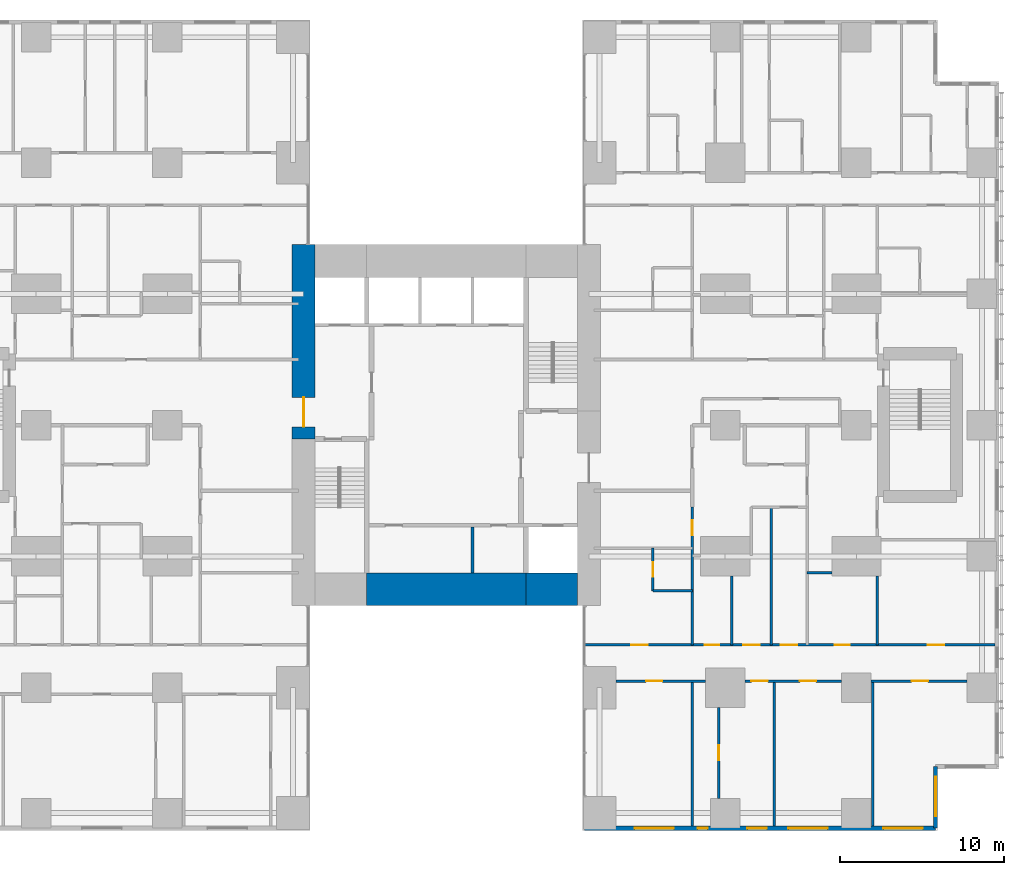
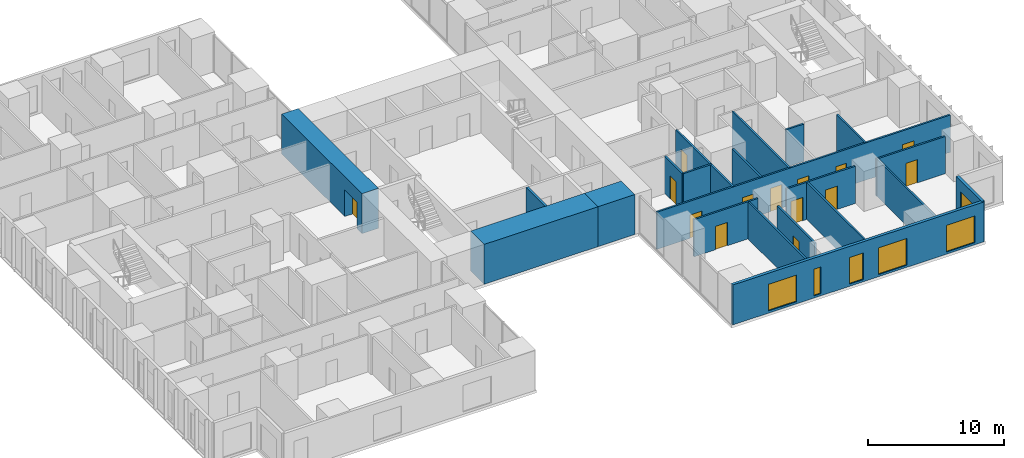
# One storey, part 14 of 20: 21 walls, 14 doors, 6 windows, 20 openings.
"""IFC4 building model written with IfcOpenShell, lengths in metres."""

from ifc_helpers import new_model, si_unit, direction, frame, frame_2d, origin, place, context, subcontext, project, spatial, rectangle, extrude, material, layer, layer_set, type_object, element, fill, save


model = new_model("IFC4")

# Units and contexts
model_context = context("Model", 3, precision=1e-05, world=origin(), true_north=direction((0.0, 1.0)))
body_context = subcontext(model_context, "Body", "Model", "MODEL_VIEW")
ifc_project = project(units=[si_unit("LENGTHUNIT", "METRE"), si_unit("AREAUNIT", "SQUARE_METRE"), si_unit("VOLUMEUNIT", "CUBIC_METRE"), si_unit("PLANEANGLEUNIT", "RADIAN"), si_unit("MASSUNIT", "GRAM", prefix="KILO")], contexts=[model_context])

# Site, building, storey
site_placement = place(None, origin())
site = spatial("IfcSite", under=ifc_project, at=site_placement, CompositionType="ELEMENT")
building_placement = place(site_placement, origin())
building = spatial("IfcBuilding", under=site, at=building_placement, Name="Cleftline Residences", CompositionType="ELEMENT")
storey_placement = place(building_placement, frame((0.0, 0.0, 196.60009765625)))
storey = spatial("IfcBuildingStorey", under=building, at=storey_placement, Name="L51", CompositionType="ELEMENT", Elevation=196.60009765625)

# Wall, opening, door
ifc_material_1 = material(Name="Concrete B70", Category="concrete")
ifc_layer_1 = layer(ifc_material_1, 1.39990234375)
ifc_layer_set_1 = layer_set([ifc_layer_1], Name="CORE WALL 1400")
wall_type_1 = type_object("IfcWallType", Name="CORE WALL 1400", PredefinedType="SHEAR", material=ifc_layer_set_1)
wall_1_placement = place(storey_placement, frame((24.300048828125, 23.14990234375, 0.0), z_axis=(0.0, 0.0, 1.0), x_axis=(0.0, 1.0, 0.0)))
wall_1 = element("IfcWall", 1, at=wall_1_placement, inside=storey, type_object=wall_type_1, Name="Core wall W", PredefinedType="SHEAR", context=body_context, shape_type="SweptSolid", body=[
    extrude(rectangle(XDim=11.85009765625, YDim=1.39990234375, at=frame_2d((5.925048828125, 0.0))), origin(), (0.0, 0.0, 1.0), 3.599853515625),
])
opening_1_placement = place(wall_1_placement, frame((0.75, 0.0, 0.0)))
opening_1 = element("IfcOpeningElement", 2, at=opening_1_placement, cuts=wall_1, Name="Opening D7", PredefinedType="OPENING", context=body_context, shape_type="SweptSolid", body=[
    extrude(rectangle(XDim=1.800048828125, YDim=2.39990234375, at=frame_2d((0.89990234375, 1.199951171875))), frame((0.0, 0.7099609375, 0.0), z_axis=(0.0, -1.0, 0.0), x_axis=(1.0, 0.0, 0.0)), (0.0, 0.0, 1.0), 1.419921875),
])
ifc_material_2 = material(Name="Steel", Category="steel")
door_type_1 = type_object("IfcDoorType", Name="WING DOOR 1800X2400", OperationType="DOUBLE_DOOR_DOUBLE_SWING", PredefinedType="DOOR", material=ifc_material_2)
door_1_placement = place(opening_1_placement, origin())
door_1 = element("IfcDoor", 3, at=door_1_placement, inside=storey, type_object=door_type_1, Name="West wing door", OperationType="DOUBLE_DOOR_DOUBLE_SWING", OverallHeight=2.39990234375, OverallWidth=1.800048828125, PredefinedType="DOOR", context=body_context, shape_type="SweptSolid", body=[
    extrude(rectangle(XDim=1.800048828125, YDim=2.39990234375, at=frame_2d((0.89990234375, 1.199951171875))), frame((0.0, 0.02490234375, 0.0), z_axis=(0.0, -1.0, 0.0), x_axis=(1.0, 0.0, 0.0)), (0.0, 0.0, 1.0), 0.050048828125),
])
fill(opening_1, door_1)

# Walls
ifc_material_3 = material(Name="Concrete B70", Category="concrete")
ifc_layer_2 = layer(ifc_material_3, 2.0)
ifc_layer_set_2 = layer_set([ifc_layer_2], Name="CORE WALL 2000")
wall_type_2 = type_object("IfcWallType", Name="CORE WALL 2000", PredefinedType="SHEAR", material=ifc_layer_set_2)
wall_2_placement = place(storey_placement, frame((28.14990234375, 14.0, 0.0), z_axis=(0.0, 0.0, 1.0), x_axis=(1.0, 0.0, 0.0)))
element("IfcWall", 4, at=wall_2_placement, inside=storey, type_object=wall_type_2, Name="Core wall S2", PredefinedType="SHEAR", context=body_context, shape_type="SweptSolid", body=[
    extrude(rectangle(XDim=9.7001953125, YDim=2.0, at=frame_2d((4.85009765625, 0.0))), origin(), (0.0, 0.0, 1.0), 3.599853515625),
])
wall_3_placement = place(storey_placement, frame((37.85009765625, 14.0, 0.0), z_axis=(0.0, 0.0, 1.0), x_axis=(1.0, 0.0, 0.0)))
element("IfcWall", 5, at=wall_3_placement, inside=storey, type_object=wall_type_2, Name="Core wall S3", PredefinedType="SHEAR", context=body_context, shape_type="SweptSolid", body=[
    extrude(rectangle(XDim=3.14990234375, YDim=2.0, at=frame_2d((1.574951171875, 0.0))), origin(), (0.0, 0.0, 1.0), 3.599853515625),
])

# Wall, openings, windows
ifc_material_4 = material(Name="Rendered reinforced concrete blockwork", Category="masonry")
ifc_layer_3 = layer(ifc_material_4, 0.25)
ifc_layer_set_3 = layer_set([ifc_layer_3], Name="EXTERNAL WALL 250")
wall_type_3 = type_object("IfcWallType", Name="EXTERNAL WALL 250", PredefinedType="SOLIDWALL", material=ifc_layer_set_3)
wall_4_placement = place(storey_placement, frame((41.425048828125, -0.574951171875, 0.0), z_axis=(0.0, 0.0, 1.0), x_axis=(1.0, 0.0, 0.0)))
wall_4 = element("IfcWall", 6, at=wall_4_placement, inside=storey, type_object=wall_type_3, Name="External wall", PredefinedType="SOLIDWALL", context=body_context, shape_type="SweptSolid", body=[
    extrude(rectangle(XDim=21.39990234375, YDim=0.25, at=frame_2d((10.699951171875, 0.0))), origin(), (0.0, 0.0, 1.0), 3.599853515625),
])
opening_2_placement = place(wall_4_placement, frame((3.050048828125, 0.0, 0.199951171875)))
opening_2 = element("IfcOpeningElement", 7, at=opening_2_placement, cuts=wall_4, Name="Opening W9", PredefinedType="OPENING", context=body_context, shape_type="SweptSolid", body=[
    extrude(rectangle(XDim=2.39990234375, YDim=2.39990234375, at=frame_2d((1.199951171875, 1.199951171875))), frame((0.0, 0.135009765625, 0.0), z_axis=(0.0, -1.0, 0.0), x_axis=(1.0, 0.0, 0.0)), (0.0, 0.0, 1.0), 0.27001953125),
])
opening_3_placement = place(wall_4_placement, frame((6.89990234375, 0.0, 0.199951171875)))
opening_3 = element("IfcOpeningElement", 8, at=opening_3_placement, cuts=wall_4, Name="Opening W14", PredefinedType="OPENING", context=body_context, shape_type="SweptSolid", body=[
    extrude(rectangle(XDim=0.60009765625, YDim=2.39990234375, at=frame_2d((0.300048828125, 1.199951171875))), frame((0.0, 0.135009765625, 0.0), z_axis=(0.0, -1.0, 0.0), x_axis=(1.0, 0.0, 0.0)), (0.0, 0.0, 1.0), 0.27001953125),
])
opening_4_placement = place(wall_4_placement, frame((9.925048828125, 0.0, 0.199951171875)))
opening_4 = element("IfcOpeningElement", 9, at=opening_4_placement, cuts=wall_4, Name="Opening W13", PredefinedType="OPENING", context=body_context, shape_type="SweptSolid", body=[
    extrude(rectangle(XDim=1.199951171875, YDim=2.39990234375, at=frame_2d((0.60009765625, 1.199951171875))), frame((0.0, 0.135009765625, 0.0), z_axis=(0.0, -1.0, 0.0), x_axis=(1.0, 0.0, 0.0)), (0.0, 0.0, 1.0), 0.27001953125),
])
opening_5_placement = place(wall_4_placement, frame((12.425048828125, 0.0, 0.199951171875)))
opening_5 = element("IfcOpeningElement", 10, at=opening_5_placement, cuts=wall_4, Name="Opening W9", PredefinedType="OPENING", context=body_context, shape_type="SweptSolid", body=[
    extrude(rectangle(XDim=2.39990234375, YDim=2.39990234375, at=frame_2d((1.199951171875, 1.199951171875))), frame((0.0, 0.135009765625, 0.0), z_axis=(0.0, -1.0, 0.0), x_axis=(1.0, 0.0, 0.0)), (0.0, 0.0, 1.0), 0.27001953125),
])
opening_6_placement = place(wall_4_placement, frame((18.22509765625, 0.0, 0.199951171875)))
opening_6 = element("IfcOpeningElement", 11, at=opening_6_placement, cuts=wall_4, Name="Opening W9", PredefinedType="OPENING", context=body_context, shape_type="SweptSolid", body=[
    extrude(rectangle(XDim=2.39990234375, YDim=2.39990234375, at=frame_2d((1.199951171875, 1.199951171875))), frame((0.0, 0.135009765625, 0.0), z_axis=(0.0, -1.0, 0.0), x_axis=(1.0, 0.0, 0.0)), (0.0, 0.0, 1.0), 0.27001953125),
])
ifc_material_5 = material(Name="Aluminium frame, clear double glazing", Category="aluminium")
window_type_1 = type_object("IfcWindowType", Name="WINDOW 1200X2400", PartitioningType="DOUBLE_PANEL_VERTICAL", PredefinedType="WINDOW", material=ifc_material_5)
window_1_placement = place(opening_4_placement, origin())
window_1 = element("IfcWindow", 12, at=window_1_placement, inside=storey, type_object=window_type_1, Name="Window", OverallHeight=2.39990234375, OverallWidth=1.199951171875, PartitioningType="SINGLE_PANEL", PredefinedType="WINDOW", context=body_context, shape_type="SweptSolid", body=[
    extrude(rectangle(XDim=1.199951171875, YDim=2.39990234375, at=frame_2d((0.60009765625, 1.199951171875))), frame((0.0, 0.030029296875, 0.0), z_axis=(0.0, -1.0, 0.0), x_axis=(1.0, 0.0, 0.0)), (0.0, 0.0, 1.0), 0.06005859375),
])
fill(opening_4, window_1)
ifc_material_6 = material(Name="Aluminium frame, clear double glazing", Category="aluminium")
window_type_2 = type_object("IfcWindowType", Name="WINDOW 2400X2400", PartitioningType="DOUBLE_PANEL_VERTICAL", PredefinedType="WINDOW", material=ifc_material_6)
window_2_placement = place(opening_2_placement, origin())
window_2 = element("IfcWindow", 13, at=window_2_placement, inside=storey, type_object=window_type_2, Name="Window", OverallHeight=2.39990234375, OverallWidth=2.39990234375, PartitioningType="SINGLE_PANEL", PredefinedType="WINDOW", context=body_context, shape_type="SweptSolid", body=[
    extrude(rectangle(XDim=2.39990234375, YDim=2.39990234375, at=frame_2d((1.199951171875, 1.199951171875))), frame((0.0, 0.030029296875, 0.0), z_axis=(0.0, -1.0, 0.0), x_axis=(1.0, 0.0, 0.0)), (0.0, 0.0, 1.0), 0.06005859375),
])
fill(opening_2, window_2)
window_3_placement = place(opening_5_placement, origin())
window_3 = element("IfcWindow", 14, at=window_3_placement, inside=storey, type_object=window_type_2, Name="Window", OverallHeight=2.39990234375, OverallWidth=2.39990234375, PartitioningType="SINGLE_PANEL", PredefinedType="WINDOW", context=body_context, shape_type="SweptSolid", body=[
    extrude(rectangle(XDim=2.39990234375, YDim=2.39990234375, at=frame_2d((1.199951171875, 1.199951171875))), frame((0.0, 0.030029296875, 0.0), z_axis=(0.0, -1.0, 0.0), x_axis=(1.0, 0.0, 0.0)), (0.0, 0.0, 1.0), 0.06005859375),
])
fill(opening_5, window_3)
window_4_placement = place(opening_6_placement, origin())
window_4 = element("IfcWindow", 15, at=window_4_placement, inside=storey, type_object=window_type_2, Name="Window", OverallHeight=2.39990234375, OverallWidth=2.39990234375, PartitioningType="SINGLE_PANEL", PredefinedType="WINDOW", context=body_context, shape_type="SweptSolid", body=[
    extrude(rectangle(XDim=2.39990234375, YDim=2.39990234375, at=frame_2d((1.199951171875, 1.199951171875))), frame((0.0, 0.030029296875, 0.0), z_axis=(0.0, -1.0, 0.0), x_axis=(1.0, 0.0, 0.0)), (0.0, 0.0, 1.0), 0.06005859375),
])
fill(opening_6, window_4)
ifc_material_7 = material(Name="Aluminium frame, clear double glazing", Category="aluminium")
window_type_3 = type_object("IfcWindowType", Name="WINDOW 600X2400", PartitioningType="DOUBLE_PANEL_VERTICAL", PredefinedType="WINDOW", material=ifc_material_7)
window_5_placement = place(opening_3_placement, origin())
window_5 = element("IfcWindow", 16, at=window_5_placement, inside=storey, type_object=window_type_3, Name="Window", OverallHeight=2.39990234375, OverallWidth=0.60009765625, PartitioningType="SINGLE_PANEL", PredefinedType="WINDOW", context=body_context, shape_type="SweptSolid", body=[
    extrude(rectangle(XDim=0.60009765625, YDim=2.39990234375, at=frame_2d((0.300048828125, 1.199951171875))), frame((0.0, 0.030029296875, 0.0), z_axis=(0.0, -1.0, 0.0), x_axis=(1.0, 0.0, 0.0)), (0.0, 0.0, 1.0), 0.06005859375),
])
fill(opening_3, window_5)

# Wall, opening, window
wall_5_placement = place(storey_placement, frame((62.824951171875, -0.574951171875, 0.0), z_axis=(0.0, 0.0, 1.0), x_axis=(0.0, 1.0, 0.0)))
wall_5 = element("IfcWall", 17, at=wall_5_placement, inside=storey, type_object=wall_type_3, Name="External wall", PredefinedType="SOLIDWALL", context=body_context, shape_type="SweptSolid", body=[
    extrude(rectangle(XDim=3.75, YDim=0.25, at=frame_2d((1.875, 0.0))), origin(), (0.0, 0.0, 1.0), 3.599853515625),
])
opening_7_placement = place(wall_5_placement, frame((0.737548828125, 0.0, 0.199951171875)))
opening_7 = element("IfcOpeningElement", 18, at=opening_7_placement, cuts=wall_5, Name="Opening W9", PredefinedType="OPENING", context=body_context, shape_type="SweptSolid", body=[
    extrude(rectangle(XDim=2.39990234375, YDim=2.39990234375, at=frame_2d((1.199951171875, 1.199951171875))), frame((0.0, 0.135009765625, 0.0), z_axis=(0.0, -1.0, 0.0), x_axis=(1.0, 0.0, 0.0)), (0.0, 0.0, 1.0), 0.27001953125),
])
window_6_placement = place(opening_7_placement, origin())
window_6 = element("IfcWindow", 19, at=window_6_placement, inside=storey, type_object=window_type_2, Name="Window", OverallHeight=2.39990234375, OverallWidth=2.39990234375, PartitioningType="SINGLE_PANEL", PredefinedType="WINDOW", context=body_context, shape_type="SweptSolid", body=[
    extrude(rectangle(XDim=2.39990234375, YDim=2.39990234375, at=frame_2d((1.199951171875, 1.199951171875))), frame((0.0, 0.030029296875, 0.0), z_axis=(0.0, -1.0, 0.0), x_axis=(1.0, 0.0, 0.0)), (0.0, 0.0, 1.0), 0.06005859375),
])
fill(opening_7, window_6)

# Wall, opening, door
ifc_material_8 = material(Name="Gypsum board on steel studs", Category="steel")
ifc_layer_4 = layer(ifc_material_8, 0.14990234375)
ifc_layer_set_4 = layer_set([ifc_layer_4], Name="PARTITION 150")
wall_type_4 = type_object("IfcWallType", Name="PARTITION 150", PredefinedType="PARTITIONING", material=ifc_layer_set_4)
wall_6_placement = place(storey_placement, frame((43.35009765625, 8.39990234375, 0.0), z_axis=(0.0, 0.0, 1.0), x_axis=(1.0, 0.0, 0.0)))
wall_6 = element("IfcWall", 20, at=wall_6_placement, inside=storey, type_object=wall_type_4, Name="Partition", PredefinedType="PARTITIONING", context=body_context, shape_type="SweptSolid", body=[
    extrude(rectangle(XDim=5.449951171875, YDim=0.14990234375, at=frame_2d((2.72509765625, 0.0))), origin(), (0.0, 0.0, 1.0), 3.349853515625),
])
opening_8_placement = place(wall_6_placement, frame((1.824951171875, 0.0, 0.0)))
opening_8 = element("IfcOpeningElement", 21, at=opening_8_placement, cuts=wall_6, Name="Opening D2", PredefinedType="OPENING", context=body_context, shape_type="SweptSolid", body=[
    extrude(rectangle(XDim=1.0, YDim=2.10009765625, at=frame_2d((0.5, 1.050048828125))), frame((0.0, 0.0849609375, 0.0), z_axis=(0.0, -1.0, 0.0), x_axis=(1.0, 0.0, 0.0)), (0.0, 0.0, 1.0), 0.169921875),
])
ifc_material_9 = material(Name="Timber veneer on solid core", Category="wood")
door_type_2 = type_object("IfcDoorType", Name="DOOR 1000X2100", OperationType="SINGLE_SWING_LEFT", PredefinedType="DOOR", material=ifc_material_9)
door_2_placement = place(opening_8_placement, origin())
door_2 = element("IfcDoor", 22, at=door_2_placement, inside=storey, type_object=door_type_2, Name="Door to breakfast room", OperationType="SINGLE_SWING_RIGHT", OverallHeight=2.10009765625, OverallWidth=1.0, PredefinedType="DOOR", context=body_context, shape_type="SweptSolid", body=[
    extrude(rectangle(XDim=1.0, YDim=2.10009765625, at=frame_2d((0.5, 1.050048828125))), frame((0.0, 0.02490234375, 0.0), z_axis=(0.0, -1.0, 0.0), x_axis=(1.0, 0.0, 0.0)), (0.0, 0.0, 1.0), 0.050048828125),
])
fill(opening_8, door_2)

# Wall, openings, doors
wall_7_placement = place(storey_placement, frame((51.199951171875, 8.39990234375, 0.0), z_axis=(0.0, 0.0, 1.0), x_axis=(1.0, 0.0, 0.0)))
wall_7 = element("IfcWall", 23, at=wall_7_placement, inside=storey, type_object=wall_type_4, Name="Partition", PredefinedType="PARTITIONING", context=body_context, shape_type="SweptSolid", body=[
    extrude(rectangle(XDim=5.900146484375, YDim=0.14990234375, at=frame_2d((2.9501953125, 0.0))), origin(), (0.0, 0.0, 1.0), 3.349853515625),
])
opening_9_placement = place(wall_7_placement, frame((3.35009765625, 0.0, 0.0)))
opening_9 = element("IfcOpeningElement", 24, at=opening_9_placement, cuts=wall_7, Name="Opening D2", PredefinedType="OPENING", context=body_context, shape_type="SweptSolid", body=[
    extrude(rectangle(XDim=1.0, YDim=2.10009765625, at=frame_2d((0.5, 1.050048828125))), frame((0.0, 0.0849609375, 0.0), z_axis=(0.0, -1.0, 0.0), x_axis=(1.0, 0.0, 0.0)), (0.0, 0.0, 1.0), 0.169921875),
])
opening_10_placement = place(wall_7_placement, frame((0.39990234375, 0.0, 0.0)))
opening_10 = element("IfcOpeningElement", 25, at=opening_10_placement, cuts=wall_7, Name="Opening D2", PredefinedType="OPENING", context=body_context, shape_type="SweptSolid", body=[
    extrude(rectangle(XDim=1.0, YDim=2.10009765625, at=frame_2d((0.5, 1.050048828125))), frame((0.0, 0.0849609375, 0.0), z_axis=(0.0, -1.0, 0.0), x_axis=(1.0, 0.0, 0.0)), (0.0, 0.0, 1.0), 0.169921875),
])
door_3_placement = place(opening_9_placement, origin())
door_3 = element("IfcDoor", 26, at=door_3_placement, inside=storey, type_object=door_type_2, Name="Door to dining room", OperationType="SINGLE_SWING_LEFT", OverallHeight=2.10009765625, OverallWidth=1.0, PredefinedType="DOOR", context=body_context, shape_type="SweptSolid", body=[
    extrude(rectangle(XDim=1.0, YDim=2.10009765625, at=frame_2d((0.5, 1.050048828125))), frame((0.0, 0.02490234375, 0.0), z_axis=(0.0, -1.0, 0.0), x_axis=(1.0, 0.0, 0.0)), (0.0, 0.0, 1.0), 0.050048828125),
])
fill(opening_9, door_3)
door_4_placement = place(opening_10_placement, origin())
door_4 = element("IfcDoor", 27, at=door_4_placement, inside=storey, type_object=door_type_2, Name="Door to show kitchen", OperationType="SINGLE_SWING_RIGHT", OverallHeight=2.10009765625, OverallWidth=1.0, PredefinedType="DOOR", context=body_context, shape_type="SweptSolid", body=[
    extrude(rectangle(XDim=1.0, YDim=2.10009765625, at=frame_2d((0.5, 1.050048828125))), frame((0.0, 0.02490234375, 0.0), z_axis=(0.0, -1.0, 0.0), x_axis=(1.0, 0.0, 0.0)), (0.0, 0.0, 1.0), 0.050048828125),
])
fill(opening_10, door_4)

# Wall, opening, door
wall_8_placement = place(storey_placement, frame((58.89990234375, 8.39990234375, 0.0), z_axis=(0.0, 0.0, 1.0), x_axis=(1.0, 0.0, 0.0)))
wall_8 = element("IfcWall", 28, at=wall_8_placement, inside=storey, type_object=wall_type_4, Name="Partition", PredefinedType="PARTITIONING", context=body_context, shape_type="SweptSolid", body=[
    extrude(rectangle(XDim=5.85009765625, YDim=0.14990234375, at=frame_2d((2.925048828125, 0.0))), origin(), (0.0, 0.0, 1.0), 3.349853515625),
])
opening_11_placement = place(wall_8_placement, frame((2.47509765625, 0.0, 0.0)))
opening_11 = element("IfcOpeningElement", 29, at=opening_11_placement, cuts=wall_8, Name="Opening D2", PredefinedType="OPENING", context=body_context, shape_type="SweptSolid", body=[
    extrude(rectangle(XDim=1.0, YDim=2.10009765625, at=frame_2d((0.5, 1.050048828125))), frame((0.0, 0.0849609375, 0.0), z_axis=(0.0, -1.0, 0.0), x_axis=(1.0, 0.0, 0.0)), (0.0, 0.0, 1.0), 0.169921875),
])
door_5_placement = place(opening_11_placement, origin())
door_5 = element("IfcDoor", 30, at=door_5_placement, inside=storey, type_object=door_type_2, Name="Door to music room", OperationType="SINGLE_SWING_LEFT", OverallHeight=2.10009765625, OverallWidth=1.0, PredefinedType="DOOR", context=body_context, shape_type="SweptSolid", body=[
    extrude(rectangle(XDim=1.0, YDim=2.10009765625, at=frame_2d((0.5, 1.050048828125))), frame((0.0, 0.02490234375, 0.0), z_axis=(0.0, -1.0, 0.0), x_axis=(1.0, 0.0, 0.0)), (0.0, 0.0, 1.0), 0.050048828125),
])
fill(opening_11, door_5)

# Wall, openings, doors
wall_9_placement = place(storey_placement, frame((41.43896484375, 10.60009765625, 0.0), z_axis=(0.0, 0.0, 1.0), x_axis=(1.0, 0.0, 0.0)))
wall_9 = element("IfcWall", 31, at=wall_9_placement, inside=storey, type_object=wall_type_4, Name="Partition", PredefinedType="PARTITIONING", context=body_context, shape_type="SweptSolid", body=[
    extrude(rectangle(XDim=25.010986328125, YDim=0.14990234375, at=frame_2d((12.50537109375, 0.0))), origin(), (0.0, 0.0, 1.0), 3.349853515625),
])
opening_12_placement = place(wall_9_placement, frame((11.9609375, 0.0, 0.0)))
opening_12 = element("IfcOpeningElement", 32, at=opening_12_placement, cuts=wall_9, Name="Opening D2", PredefinedType="OPENING", context=body_context, shape_type="SweptSolid", body=[
    extrude(rectangle(XDim=1.0, YDim=2.10009765625, at=frame_2d((0.5, 1.050048828125))), frame((0.0, 0.0849609375, 0.0), z_axis=(0.0, -1.0, 0.0), x_axis=(1.0, 0.0, 0.0)), (0.0, 0.0, 1.0), 0.169921875),
])
opening_13_placement = place(wall_9_placement, frame((20.923583984375, 0.0, 0.0)))
opening_13 = element("IfcOpeningElement", 33, at=opening_13_placement, cuts=wall_9, Name="Opening D2", PredefinedType="OPENING", context=body_context, shape_type="SweptSolid", body=[
    extrude(rectangle(XDim=1.0, YDim=2.10009765625, at=frame_2d((0.5, 1.050048828125))), frame((0.0, 0.0849609375, 0.0), z_axis=(0.0, -1.0, 0.0), x_axis=(1.0, 0.0, 0.0)), (0.0, 0.0, 1.0), 0.169921875),
])
opening_14_placement = place(wall_9_placement, frame((15.24853515625, 0.0, 0.0)))
opening_14 = element("IfcOpeningElement", 34, at=opening_14_placement, cuts=wall_9, Name="Opening D1", PredefinedType="OPENING", context=body_context, shape_type="SweptSolid", body=[
    extrude(rectangle(XDim=0.89990234375, YDim=2.10009765625, at=frame_2d((0.449951171875, 1.050048828125))), frame((0.0, 0.0849609375, 0.0), z_axis=(0.0, -1.0, 0.0), x_axis=(1.0, 0.0, 0.0)), (0.0, 0.0, 1.0), 0.169921875),
])
opening_15_placement = place(wall_9_placement, frame((9.660888671875, 0.0, 0.0)))
opening_15 = element("IfcOpeningElement", 35, at=opening_15_placement, cuts=wall_9, Name="Opening D2", PredefinedType="OPENING", context=body_context, shape_type="SweptSolid", body=[
    extrude(rectangle(XDim=1.0, YDim=2.10009765625, at=frame_2d((0.5, 1.050048828125))), frame((0.0, 0.0849609375, 0.0), z_axis=(0.0, -1.0, 0.0), x_axis=(1.0, 0.0, 0.0)), (0.0, 0.0, 1.0), 0.169921875),
])
opening_16_placement = place(wall_9_placement, frame((7.31103515625, 0.0, 0.0)))
opening_16 = element("IfcOpeningElement", 36, at=opening_16_placement, cuts=wall_9, Name="Opening D1", PredefinedType="OPENING", context=body_context, shape_type="SweptSolid", body=[
    extrude(rectangle(XDim=0.89990234375, YDim=2.10009765625, at=frame_2d((0.449951171875, 1.050048828125))), frame((0.0, 0.0849609375, 0.0), z_axis=(0.0, -1.0, 0.0), x_axis=(1.0, 0.0, 0.0)), (0.0, 0.0, 1.0), 0.169921875),
])
opening_17_placement = place(wall_9_placement, frame((2.8359375, 0.0, 0.0)))
opening_17 = element("IfcOpeningElement", 37, at=opening_17_placement, cuts=wall_9, Name="Opening D2", PredefinedType="OPENING", context=body_context, shape_type="SweptSolid", body=[
    extrude(rectangle(XDim=1.0, YDim=2.10009765625, at=frame_2d((0.5, 1.050048828125))), frame((0.0, 0.0849609375, 0.0), z_axis=(0.0, -1.0, 0.0), x_axis=(1.0, 0.0, 0.0)), (0.0, 0.0, 1.0), 0.169921875),
])
door_6_placement = place(opening_12_placement, origin())
door_6 = element("IfcDoor", 38, at=door_6_placement, inside=storey, type_object=door_type_2, Name="Door to residence hall", OperationType="SINGLE_SWING_RIGHT", OverallHeight=2.10009765625, OverallWidth=1.0, PredefinedType="DOOR", context=body_context, shape_type="SweptSolid", body=[
    extrude(rectangle(XDim=1.0, YDim=2.10009765625, at=frame_2d((0.5, 1.050048828125))), frame((0.0, 0.02490234375, 0.0), z_axis=(0.0, -1.0, 0.0), x_axis=(1.0, 0.0, 0.0)), (0.0, 0.0, 1.0), 0.050048828125),
])
fill(opening_12, door_6)
door_7_placement = place(opening_13_placement, origin())
door_7 = element("IfcDoor", 39, at=door_7_placement, inside=storey, type_object=door_type_2, Name="Door to sea-view great room", OperationType="SINGLE_SWING_LEFT", OverallHeight=2.10009765625, OverallWidth=1.0, PredefinedType="DOOR", context=body_context, shape_type="SweptSolid", body=[
    extrude(rectangle(XDim=1.0, YDim=2.10009765625, at=frame_2d((0.5, 1.050048828125))), frame((0.0, 0.02490234375, 0.0), z_axis=(0.0, -1.0, 0.0), x_axis=(1.0, 0.0, 0.0)), (0.0, 0.0, 1.0), 0.050048828125),
])
fill(opening_13, door_7)
door_8_placement = place(opening_15_placement, origin())
door_8 = element("IfcDoor", 40, at=door_8_placement, inside=storey, type_object=door_type_2, Name="Door to wet kitchen", OperationType="SINGLE_SWING_RIGHT", OverallHeight=2.10009765625, OverallWidth=1.0, PredefinedType="DOOR", context=body_context, shape_type="SweptSolid", body=[
    extrude(rectangle(XDim=1.0, YDim=2.10009765625, at=frame_2d((0.5, 1.050048828125))), frame((0.0, 0.02490234375, 0.0), z_axis=(0.0, -1.0, 0.0), x_axis=(1.0, 0.0, 0.0)), (0.0, 0.0, 1.0), 0.050048828125),
])
fill(opening_15, door_8)
door_9_placement = place(opening_17_placement, origin())
door_9 = element("IfcDoor", 41, at=door_9_placement, inside=storey, type_object=door_type_2, Name="Door to staff bedroom", OperationType="SINGLE_SWING_RIGHT", OverallHeight=2.10009765625, OverallWidth=1.0, PredefinedType="DOOR", context=body_context, shape_type="SweptSolid", body=[
    extrude(rectangle(XDim=1.0, YDim=2.10009765625, at=frame_2d((0.5, 1.050048828125))), frame((0.0, 0.02490234375, 0.0), z_axis=(0.0, -1.0, 0.0), x_axis=(1.0, 0.0, 0.0)), (0.0, 0.0, 1.0), 0.050048828125),
])
fill(opening_17, door_9)
ifc_material_10 = material(Name="Timber veneer on solid core", Category="wood")
door_type_3 = type_object("IfcDoorType", Name="DOOR 900X2100", OperationType="SINGLE_SWING_LEFT", PredefinedType="DOOR", material=ifc_material_10)
door_10_placement = place(opening_14_placement, origin())
door_10 = element("IfcDoor", 42, at=door_10_placement, inside=storey, type_object=door_type_3, Name="Door to wine room", OperationType="SINGLE_SWING_LEFT", OverallHeight=2.10009765625, OverallWidth=0.89990234375, PredefinedType="DOOR", context=body_context, shape_type="SweptSolid", body=[
    extrude(rectangle(XDim=0.89990234375, YDim=2.10009765625, at=frame_2d((0.449951171875, 1.050048828125))), frame((0.0, 0.02490234375, 0.0), z_axis=(0.0, -1.0, 0.0), x_axis=(1.0, 0.0, 0.0)), (0.0, 0.0, 1.0), 0.050048828125),
])
fill(opening_14, door_10)
door_11_placement = place(opening_16_placement, origin())
door_11 = element("IfcDoor", 43, at=door_11_placement, inside=storey, type_object=door_type_3, Name="Door to pantry", OperationType="SINGLE_SWING_RIGHT", OverallHeight=2.10009765625, OverallWidth=0.89990234375, PredefinedType="DOOR", context=body_context, shape_type="SweptSolid", body=[
    extrude(rectangle(XDim=0.89990234375, YDim=2.10009765625, at=frame_2d((0.449951171875, 1.050048828125))), frame((0.0, 0.02490234375, 0.0), z_axis=(0.0, -1.0, 0.0), x_axis=(1.0, 0.0, 0.0)), (0.0, 0.0, 1.0), 0.050048828125),
])
fill(opening_16, door_11)

# Walls
wall_10_placement = place(storey_placement, frame((45.60009765625, 13.89990234375, 0.0), z_axis=(0.0, 0.0, 1.0), x_axis=(1.0, 0.0, 0.0)))
element("IfcWall", 44, at=wall_10_placement, inside=storey, type_object=wall_type_4, Name="Partition", PredefinedType="PARTITIONING", context=body_context, shape_type="SweptSolid", body=[
    extrude(rectangle(XDim=2.39990234375, YDim=0.14990234375, at=frame_2d((1.199951171875, 0.0))), origin(), (0.0, 0.0, 1.0), 3.349853515625),
])
wall_11_placement = place(storey_placement, frame((55.0, 15.0, 0.0), z_axis=(0.0, 0.0, 1.0), x_axis=(1.0, 0.0, 0.0)))
element("IfcWall", 45, at=wall_11_placement, inside=storey, type_object=wall_type_4, Name="Partition", PredefinedType="PARTITIONING", context=body_context, shape_type="SweptSolid", body=[
    extrude(rectangle(XDim=1.5, YDim=0.14990234375, at=frame_2d((0.75, 0.0))), origin(), (0.0, 0.0, 1.0), 3.349853515625),
])

# Wall, opening, door
wall_12_placement = place(storey_placement, frame((45.60009765625, 13.89990234375, 0.0), z_axis=(0.0, 0.0, 1.0), x_axis=(0.0, 1.0, 0.0)))
wall_12 = element("IfcWall", 46, at=wall_12_placement, inside=storey, type_object=wall_type_4, Name="Partition", PredefinedType="PARTITIONING", context=body_context, shape_type="SweptSolid", body=[
    extrude(rectangle(XDim=2.60009765625, YDim=0.14990234375, at=frame_2d((1.300048828125, 0.0))), origin(), (0.0, 0.0, 1.0), 3.349853515625),
])
opening_18_placement = place(wall_12_placement, frame((0.85009765625, 0.0, 0.0)))
opening_18 = element("IfcOpeningElement", 47, at=opening_18_placement, cuts=wall_12, Name="Opening D1", PredefinedType="OPENING", context=body_context, shape_type="SweptSolid", body=[
    extrude(rectangle(XDim=0.89990234375, YDim=2.10009765625, at=frame_2d((0.449951171875, 1.050048828125))), frame((0.0, 0.0849609375, 0.0), z_axis=(0.0, -1.0, 0.0), x_axis=(1.0, 0.0, 0.0)), (0.0, 0.0, 1.0), 0.169921875),
])
door_12_placement = place(opening_18_placement, origin())
door_12 = element("IfcDoor", 48, at=door_12_placement, inside=storey, type_object=door_type_3, Name="Door to staff shower room", OperationType="SINGLE_SWING_LEFT", OverallHeight=2.10009765625, OverallWidth=0.89990234375, PredefinedType="DOOR", context=body_context, shape_type="SweptSolid", body=[
    extrude(rectangle(XDim=0.89990234375, YDim=2.10009765625, at=frame_2d((0.449951171875, 1.050048828125))), frame((0.0, 0.02490234375, 0.0), z_axis=(0.0, -1.0, 0.0), x_axis=(1.0, 0.0, 0.0)), (0.0, 0.0, 1.0), 0.050048828125),
])
fill(opening_18, door_12)

# Wall
wall_13_placement = place(storey_placement, frame((48.0, -0.449951171875, 0.0), z_axis=(0.0, 0.0, 1.0), x_axis=(0.0, 1.0, 0.0)))
element("IfcWall", 49, at=wall_13_placement, inside=storey, type_object=wall_type_4, Name="Partition", PredefinedType="PARTITIONING", context=body_context, shape_type="SweptSolid", body=[
    extrude(rectangle(XDim=8.849853515625, YDim=0.14990234375, at=frame_2d((4.4248046875, 0.0))), origin(), (0.0, 0.0, 1.0), 3.349853515625),
])

# Wall, opening, door
wall_14_placement = place(storey_placement, frame((48.0, 10.60009765625, 0.0), z_axis=(0.0, 0.0, 1.0), x_axis=(0.0, 1.0, 0.0)))
wall_14 = element("IfcWall", 50, at=wall_14_placement, inside=storey, type_object=wall_type_4, Name="Partition", PredefinedType="PARTITIONING", context=body_context, shape_type="SweptSolid", body=[
    extrude(rectangle(XDim=8.39990234375, YDim=0.14990234375, at=frame_2d((4.199951171875, 0.0))), origin(), (0.0, 0.0, 1.0), 3.349853515625),
])
opening_19_placement = place(wall_14_placement, frame((6.699951171875, 0.0, 0.0)))
opening_19 = element("IfcOpeningElement", 51, at=opening_19_placement, cuts=wall_14, Name="Opening D1", PredefinedType="OPENING", context=body_context, shape_type="SweptSolid", body=[
    extrude(rectangle(XDim=0.89990234375, YDim=2.10009765625, at=frame_2d((0.449951171875, 1.050048828125))), frame((0.0, 0.0849609375, 0.0), z_axis=(0.0, -1.0, 0.0), x_axis=(1.0, 0.0, 0.0)), (0.0, 0.0, 1.0), 0.169921875),
])
door_13_placement = place(opening_19_placement, origin())
door_13 = element("IfcDoor", 52, at=door_13_placement, inside=storey, type_object=door_type_3, Name="Door to drying loggia", OperationType="SINGLE_SWING_LEFT", OverallHeight=2.10009765625, OverallWidth=0.89990234375, PredefinedType="DOOR", context=body_context, shape_type="SweptSolid", body=[
    extrude(rectangle(XDim=0.89990234375, YDim=2.10009765625, at=frame_2d((0.449951171875, 1.050048828125))), frame((0.0, 0.02490234375, 0.0), z_axis=(0.0, -1.0, 0.0), x_axis=(1.0, 0.0, 0.0)), (0.0, 0.0, 1.0), 0.050048828125),
])
fill(opening_19, door_13)

wall_15_placement = place(storey_placement, frame((49.60009765625, 1.25, 0.0), z_axis=(0.0, 0.0, 1.0), x_axis=(0.0, 1.0, 0.0)))
wall_15 = element("IfcWall", 53, at=wall_15_placement, inside=storey, type_object=wall_type_4, Name="Partition", PredefinedType="PARTITIONING", context=body_context, shape_type="SweptSolid", body=[
    extrude(rectangle(XDim=5.550048828125, YDim=0.14990234375, at=frame_2d((2.77490234375, 0.0))), origin(), (0.0, 0.0, 1.0), 3.349853515625),
])
opening_20_placement = place(wall_15_placement, frame((2.324951171875, 0.0, 0.0)))
opening_20 = element("IfcOpeningElement", 54, at=opening_20_placement, cuts=wall_15, Name="Opening D1", PredefinedType="OPENING", context=body_context, shape_type="SweptSolid", body=[
    extrude(rectangle(XDim=0.89990234375, YDim=2.10009765625, at=frame_2d((0.449951171875, 1.050048828125))), frame((0.0, 0.0849609375, 0.0), z_axis=(0.0, -1.0, 0.0), x_axis=(1.0, 0.0, 0.0)), (0.0, 0.0, 1.0), 0.169921875),
])
door_14_placement = place(opening_20_placement, origin())
door_14 = element("IfcDoor", 55, at=door_14_placement, inside=storey, type_object=door_type_3, Name="Door to larder", OperationType="SINGLE_SWING_LEFT", OverallHeight=2.10009765625, OverallWidth=0.89990234375, PredefinedType="DOOR", context=body_context, shape_type="SweptSolid", body=[
    extrude(rectangle(XDim=0.89990234375, YDim=2.10009765625, at=frame_2d((0.449951171875, 1.050048828125))), frame((0.0, 0.02490234375, 0.0), z_axis=(0.0, -1.0, 0.0), x_axis=(1.0, 0.0, 0.0)), (0.0, 0.0, 1.0), 0.050048828125),
])
fill(opening_20, door_14)

# Walls
wall_16_placement = place(storey_placement, frame((50.39990234375, 10.60009765625, 0.0), z_axis=(0.0, 0.0, 1.0), x_axis=(0.0, 1.0, 0.0)))
element("IfcWall", 56, at=wall_16_placement, inside=storey, type_object=wall_type_4, Name="Partition", PredefinedType="PARTITIONING", context=body_context, shape_type="SweptSolid", body=[
    extrude(rectangle(XDim=4.199951171875, YDim=0.14990234375, at=frame_2d((2.10009765625, 0.0))), origin(), (0.0, 0.0, 1.0), 3.349853515625),
])
wall_17_placement = place(storey_placement, frame((52.800048828125, 10.60009765625, 0.0), z_axis=(0.0, 0.0, 1.0), x_axis=(0.0, 1.0, 0.0)))
element("IfcWall", 57, at=wall_17_placement, inside=storey, type_object=wall_type_4, Name="Partition", PredefinedType="PARTITIONING", context=body_context, shape_type="SweptSolid", body=[
    extrude(rectangle(XDim=8.39990234375, YDim=0.14990234375, at=frame_2d((4.199951171875, 0.0))), origin(), (0.0, 0.0, 1.0), 3.349853515625),
])
for number, where, z_axis, x_axis, name in (
    (58, (53.0, -0.449951171875, 0.0), (0.0, 0.0, 1.0), (0.0, 1.0, 0.0), "Partition"),
    (59, (59.0, -0.449951171875, 0.0), (0.0, 0.0, 1.0), (0.0, 1.0, 0.0), "Partition"),
):
    element("IfcWall", number, at=place(storey_placement, frame(where, z_axis=z_axis, x_axis=x_axis)), inside=storey, type_object=wall_type_4, Name=name, PredefinedType="PARTITIONING", context=body_context, shape_type="SweptSolid", body=[
        extrude(rectangle(XDim=8.849853515625, YDim=0.14990234375, at=frame_2d((4.4248046875, 0.0))), origin(), (0.0, 0.0, 1.0), 3.349853515625),
    ])
wall_18_placement = place(storey_placement, frame((59.27490234375, 10.60009765625, 0.0), z_axis=(0.0, 0.0, 1.0), x_axis=(0.0, 1.0, 0.0)))
element("IfcWall", 60, at=wall_18_placement, inside=storey, type_object=wall_type_4, Name="Partition", PredefinedType="PARTITIONING", context=body_context, shape_type="SweptSolid", body=[
    extrude(rectangle(XDim=4.199951171875, YDim=0.14990234375, at=frame_2d((2.10009765625, 0.0))), origin(), (0.0, 0.0, 1.0), 3.349853515625),
])
ifc_material_11 = material(Name="Concrete blockwork, fire rated", Category="masonry")
ifc_layer_5 = layer(ifc_material_11, 0.199951171875)
ifc_layer_set_5 = layer_set([ifc_layer_5], Name="SHAFT WALL 200")
wall_type_5 = type_object("IfcWallType", Name="SHAFT WALL 200", PredefinedType="PARTITIONING", material=ifc_layer_set_5)
wall_19_placement = place(storey_placement, frame((34.60009765625, 15.0, 0.0), z_axis=(0.0, 0.0, 1.0), x_axis=(0.0, 1.0, 0.0)))
element("IfcWall", 61, at=wall_19_placement, inside=storey, type_object=wall_type_5, Name="Core room wall", PredefinedType="PARTITIONING", context=body_context, shape_type="SweptSolid", body=[
    extrude(rectangle(XDim=2.800048828125, YDim=0.199951171875, at=frame_2d((1.39990234375, 0.0))), origin(), (0.0, 0.0, 1.0), 3.599853515625),
])

save(model, "model.ifc")
